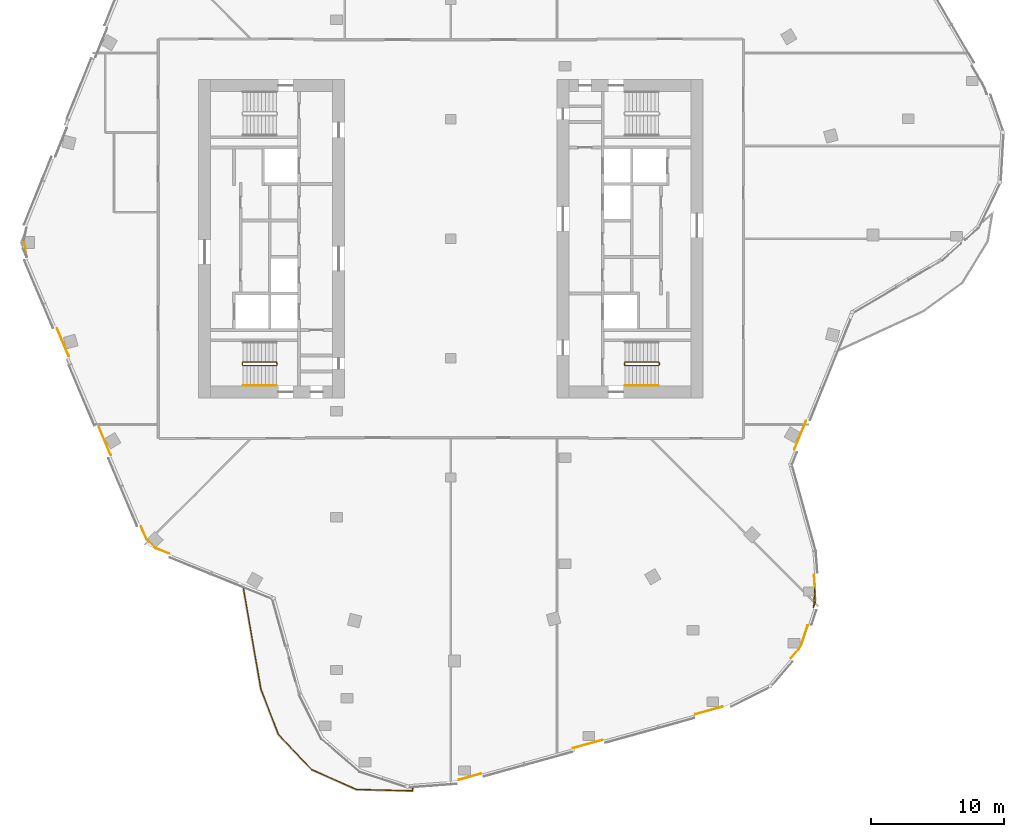
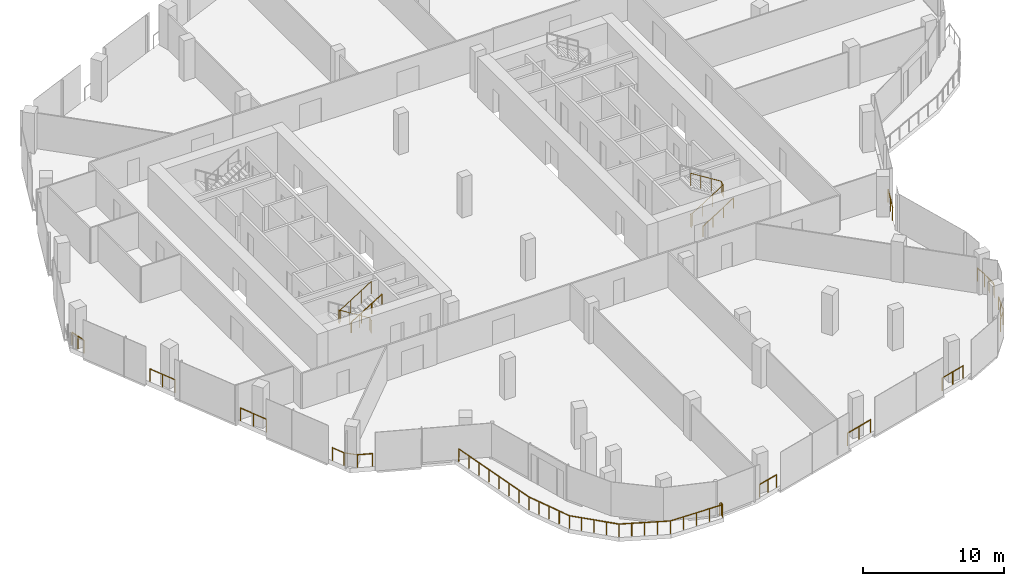
# One storey, part 23 of 26: 18 railings.
"""IFC4 building model written with IfcOpenShell, lengths in metres."""

from ifc_helpers import new_model, si_unit, direction, frame, origin, origin_2d, place, context, subcontext, project, spatial, circle, extrude, material, type_object, element, save


model = new_model("IFC4")

# Units and contexts
model_context = context("Model", 3, precision=1e-05, world=origin(), true_north=direction((0.0, 1.0)))
body_context = subcontext(model_context, "Body", "Model", "MODEL_VIEW")
ifc_project = project(units=[si_unit("LENGTHUNIT", "METRE"), si_unit("AREAUNIT", "SQUARE_METRE"), si_unit("VOLUMEUNIT", "CUBIC_METRE"), si_unit("PLANEANGLEUNIT", "RADIAN"), si_unit("MASSUNIT", "GRAM", prefix="KILO")], contexts=[model_context])

# Site, building, storey
site_placement = place(None, origin())
site = spatial("IfcSite", under=ifc_project, at=site_placement, CompositionType="ELEMENT")
building_placement = place(site_placement, origin())
building = spatial("IfcBuilding", under=site, at=building_placement, Name="Orlundy Tower", CompositionType="ELEMENT")
storey_placement = place(building_placement, frame((0.0, 0.0, 275.39990234375)))
storey = spatial("IfcBuildingStorey", under=building, at=storey_placement, Name="L73", CompositionType="ELEMENT", Elevation=275.39990234375)

# Railings
ifc_material_1 = material(Name="Steel balustrade", Category="steel")
railing_type_1 = type_object("IfcRailingType", Name="Stair Guard 1100", PredefinedType="GUARDRAIL", material=ifc_material_1)
railing_1_placement = place(storey_placement, frame((-13.090087890625, -9.35009765625, 0.0)))
element("IfcRailing", 1, at=railing_1_placement, inside=storey, type_object=railing_type_1, Name="L73 ST-W2 stair guard 1", PredefinedType="GUARDRAIL", context=body_context, shape_type="SweptSolid", body=[
    extrude(circle(Radius=0.02392578125, at=origin_2d()), frame((0.0, 0.0, 1.076171875), z_axis=(0.0, -1.0, 0.0), x_axis=(1.0, 0.0, 0.0)), (0.0, 0.0, 1.0), 0.14990234375),
    extrude(circle(Radius=0.02392578125, at=origin_2d()), frame((0.0, -0.14990234375, 1.076171875), z_axis=(-0.18420542264, 0.739530593833, 0.647427882513), x_axis=(-0.970351222016, -0.241699205484, 0.0)), (0.0, 0.0, 1.0), 0.270263671875),
    extrude(circle(Radius=0.02392578125, at=origin_2d()), frame((-0.0498046875, 0.050048828125, 1.2509765625), z_axis=(-0.848007534815, 0.0, 0.529984170421), x_axis=(0.0, -1.0, 0.0)), (0.0, 0.0, 1.0), 2.9716796875),
    extrude(circle(Radius=0.02392578125, at=origin_2d()), frame((-2.56982421875, 0.050048828125, 2.826171875), z_axis=(-0.707106781187, -0.707106781187, 0.0), x_axis=(0.707106781187, -0.707106781187, 0.0)), (0.0, 0.0, 1.0), 0.07080078125),
    extrude(circle(Radius=0.02392578125, at=origin_2d()), frame((-2.619873046875, 0.0, 2.826171875), z_axis=(0.0, -1.0, 0.0), x_axis=(1.0, 0.0, 0.0)), (0.0, 0.0, 1.0), 0.14990234375),
    extrude(circle(Radius=0.02392578125, at=origin_2d()), frame((-2.619873046875, -0.14990234375, 2.826171875), z_axis=(0.265065253269, -0.265065253269, 0.927081885822), x_axis=(0.707106781187, 0.707106781187, 0.0)), (0.0, 0.0, 1.0), 0.188720703125),
    extrude(circle(Radius=0.02392578125, at=origin_2d()), frame((-2.56982421875, -0.199951171875, 3.0009765625), z_axis=(0.848007534815, 0.0, 0.529984170421), x_axis=(0.0, 1.0, 0.0)), (0.0, 0.0, 1.0), 2.9716796875),
    extrude(circle(Radius=0.02099609375, at=origin_2d()), origin(), (0.0, 0.0, 1.0), 1.052001953125),
    extrude(circle(Radius=0.02099609375, at=origin_2d()), frame((0.0, -0.14990234375, 0.0)), (0.0, 0.0, 1.0), 1.052001953125),
    extrude(circle(Radius=0.02099609375, at=origin_2d()), frame((-0.0498046875, 0.050048828125, 0.175048828125)), (0.0, 0.0, 1.0), 1.052001953125),
    extrude(circle(Radius=0.02099609375, at=origin_2d()), frame((-0.889892578125, 0.050048828125, 0.699951171875)), (0.0, 0.0, 1.0), 1.052001953125),
    extrude(circle(Radius=0.02099609375, at=origin_2d()), frame((-1.729736328125, 0.050048828125, 1.22509765625)), (0.0, 0.0, 1.0), 1.052001953125),
    extrude(circle(Radius=0.02099609375, at=origin_2d()), frame((-2.56982421875, 0.050048828125, 1.75)), (0.0, 0.0, 1.0), 1.052001953125),
    extrude(circle(Radius=0.02099609375, at=origin_2d()), frame((-2.619873046875, 0.0, 1.75)), (0.0, 0.0, 1.0), 1.052001953125),
    extrude(circle(Radius=0.02099609375, at=origin_2d()), frame((-2.619873046875, -0.14990234375, 1.75)), (0.0, 0.0, 1.0), 1.052001953125),
    extrude(circle(Radius=0.02099609375, at=origin_2d()), frame((-2.56982421875, -0.199951171875, 1.925048828125)), (0.0, 0.0, 1.0), 1.052001953125),
    extrude(circle(Radius=0.02099609375, at=origin_2d()), frame((-1.729736328125, -0.199951171875, 2.449951171875)), (0.0, 0.0, 1.0), 1.052001953125),
    extrude(circle(Radius=0.02099609375, at=origin_2d()), frame((-0.889892578125, -0.199951171875, 2.97509765625)), (0.0, 0.0, 1.0), 1.052001953125),
    extrude(circle(Radius=0.02099609375, at=origin_2d()), frame((-0.0498046875, -0.199951171875, 3.5)), (0.0, 0.0, 1.0), 1.052001953125),
])
railing_2_placement = place(storey_placement, frame((13.090087890625, -9.5, 0.0)))
element("IfcRailing", 2, at=railing_2_placement, inside=storey, type_object=railing_type_1, Name="L73 ST-E1 stair guard 1", PredefinedType="GUARDRAIL", context=body_context, shape_type="SweptSolid", body=[
    extrude(circle(Radius=0.02392578125, at=origin_2d()), frame((0.0, 0.0, 1.076171875), z_axis=(0.0, 1.0, 0.0), x_axis=(-1.0, 0.0, 0.0)), (0.0, 0.0, 1.0), 0.14990234375),
    extrude(circle(Radius=0.02392578125, at=origin_2d()), frame((0.0, 0.14990234375, 1.076171875), z_axis=(0.18420542264, -0.739530593833, 0.647427882513), x_axis=(0.970351222016, 0.241699205484, 0.0)), (0.0, 0.0, 1.0), 0.270263671875),
    extrude(circle(Radius=0.02392578125, at=origin_2d()), frame((0.0498046875, -0.050048828125, 1.2509765625), z_axis=(0.848007534815, 0.0, 0.529984170421), x_axis=(0.0, 1.0, 0.0)), (0.0, 0.0, 1.0), 2.9716796875),
    extrude(circle(Radius=0.02392578125, at=origin_2d()), frame((2.56982421875, -0.050048828125, 2.826171875), z_axis=(0.707106781187, 0.707106781187, 0.0), x_axis=(-0.707106781187, 0.707106781187, 0.0)), (0.0, 0.0, 1.0), 0.07080078125),
    extrude(circle(Radius=0.02392578125, at=origin_2d()), frame((2.619873046875, 0.0, 2.826171875), z_axis=(0.0, 1.0, 0.0), x_axis=(-1.0, 0.0, 0.0)), (0.0, 0.0, 1.0), 0.14990234375),
    extrude(circle(Radius=0.02392578125, at=origin_2d()), frame((2.619873046875, 0.14990234375, 2.826171875), z_axis=(-0.265065253269, 0.265065253269, 0.927081885822), x_axis=(-0.707106781187, -0.707106781187, 0.0)), (0.0, 0.0, 1.0), 0.188720703125),
    extrude(circle(Radius=0.02392578125, at=origin_2d()), frame((2.56982421875, 0.199951171875, 3.0009765625), z_axis=(-0.848007534815, 0.0, 0.529984170421), x_axis=(0.0, -1.0, 0.0)), (0.0, 0.0, 1.0), 2.9716796875),
    extrude(circle(Radius=0.02099609375, at=origin_2d()), origin(), (0.0, 0.0, 1.0), 1.052001953125),
    extrude(circle(Radius=0.02099609375, at=origin_2d()), frame((0.0, 0.14990234375, 0.0)), (0.0, 0.0, 1.0), 1.052001953125),
    extrude(circle(Radius=0.02099609375, at=origin_2d()), frame((0.0498046875, -0.050048828125, 0.175048828125)), (0.0, 0.0, 1.0), 1.052001953125),
    extrude(circle(Radius=0.02099609375, at=origin_2d()), frame((0.889892578125, -0.050048828125, 0.699951171875)), (0.0, 0.0, 1.0), 1.052001953125),
    extrude(circle(Radius=0.02099609375, at=origin_2d()), frame((1.729736328125, -0.050048828125, 1.22509765625)), (0.0, 0.0, 1.0), 1.052001953125),
    extrude(circle(Radius=0.02099609375, at=origin_2d()), frame((2.56982421875, -0.050048828125, 1.75)), (0.0, 0.0, 1.0), 1.052001953125),
    extrude(circle(Radius=0.02099609375, at=origin_2d()), frame((2.619873046875, 0.0, 1.75)), (0.0, 0.0, 1.0), 1.052001953125),
    extrude(circle(Radius=0.02099609375, at=origin_2d()), frame((2.619873046875, 0.14990234375, 1.75)), (0.0, 0.0, 1.0), 1.052001953125),
    extrude(circle(Radius=0.02099609375, at=origin_2d()), frame((2.56982421875, 0.199951171875, 1.925048828125)), (0.0, 0.0, 1.0), 1.052001953125),
    extrude(circle(Radius=0.02099609375, at=origin_2d()), frame((1.729736328125, 0.199951171875, 2.449951171875)), (0.0, 0.0, 1.0), 1.052001953125),
    extrude(circle(Radius=0.02099609375, at=origin_2d()), frame((0.889892578125, 0.199951171875, 2.97509765625)), (0.0, 0.0, 1.0), 1.052001953125),
    extrude(circle(Radius=0.02099609375, at=origin_2d()), frame((0.0498046875, 0.199951171875, 3.5)), (0.0, 0.0, 1.0), 1.052001953125),
])
ifc_material_2 = material(Name="Steel handrail", Category="steel")
railing_type_2 = type_object("IfcRailingType", Name="Stair Handrail 900", PredefinedType="HANDRAIL", material=ifc_material_2)
for number, where, name in (
    (3, (-15.659912109375, -11.050048828125, 1.925048828125), "L73 ST-W2 stair handrail 2"),
    (4, (13.139892578125, -11.050048828125, 0.175048828125), "L73 ST-E1 stair handrail 1"),
):
    element("IfcRailing", number, at=place(storey_placement, frame(where)), inside=storey, type_object=railing_type_2, Name=name, PredefinedType="HANDRAIL", context=body_context, shape_type="SweptSolid", body=[
        extrude(circle(Radius=0.02392578125, at=origin_2d()), frame((0.0, 0.0, 0.8759765625), z_axis=(0.848007534815, 0.0, 0.529984170421), x_axis=(0.0, 1.0, 0.0)), (0.0, 0.0, 1.0), 2.9716796875),
        extrude(circle(Radius=0.02099609375, at=origin_2d()), origin(), (0.0, 0.0, 1.0), 0.851806640625),
        extrude(circle(Radius=0.02099609375, at=origin_2d()), frame((0.840087890625, 0.0, 0.52490234375)), (0.0, 0.0, 1.0), 0.851806640625),
        extrude(circle(Radius=0.02099609375, at=origin_2d()), frame((1.679931640625, 0.0, 1.050048828125)), (0.0, 0.0, 1.0), 0.851806640625),
        extrude(circle(Radius=0.02099609375, at=origin_2d()), frame((2.52001953125, 0.0, 1.574951171875)), (0.0, 0.0, 1.0), 0.851806640625),
    ])
ifc_material_3 = material(Name="Stainless steel bronze finish", Category="steel")
railing_type_3 = type_object("IfcRailingType", Name="TG1 terrace guard", PredefinedType="GUARDRAIL", material=ifc_material_3)
railing_3_placement = place(storey_placement, frame((27.44580078125, -26.208984375, 0.0)))
element("IfcRailing", 5, at=railing_3_placement, inside=storey, type_object=railing_type_3, Name="Guard TG-L73-E00", PredefinedType="GUARDRAIL", context=body_context, shape_type="SweptSolid", body=[
    extrude(circle(Radius=0.02490234375, at=origin_2d()), frame((0.0, 0.0, 1.09521484375), z_axis=(0.014295600181, -0.999897812687, 0.0), x_axis=(0.999897812687, 0.014295600181, 0.0)), (0.0, 0.0, 1.0), 1.229736328125),
    extrude(circle(Radius=0.02490234375, at=origin_2d()), frame((0.017578125, -1.2294921875, 1.09521484375), z_axis=(-0.312772982921, -0.949827911337, 0.0), x_axis=(0.949827911337, -0.312772982921, 0.0)), (0.0, 0.0, 1.0), 0.360595703125),
    extrude(circle(Radius=0.02490234375, at=origin_2d()), frame((-0.09521484375, -1.572021484375, 1.09521484375), z_axis=(0.060592369306, 0.998162594361, 0.0), x_axis=(-0.998162594361, 0.060592369306, 0.0)), (0.0, 0.0, 1.0), 1.514892578125),
    extrude(circle(Radius=0.02001953125, at=origin_2d()), origin(), (0.0, 0.0, 1.0), 1.070068359375),
    extrude(circle(Radius=0.02001953125, at=origin_2d()), frame((0.0087890625, -0.61474609375, 0.0)), (0.0, 0.0, 1.0), 1.070068359375),
    extrude(circle(Radius=0.02001953125, at=origin_2d()), frame((0.017578125, -1.2294921875, 0.0)), (0.0, 0.0, 1.0), 1.070068359375),
    extrude(circle(Radius=0.02001953125, at=origin_2d()), frame((-0.09521484375, -1.572021484375, 0.0)), (0.0, 0.0, 1.0), 1.070068359375),
    extrude(circle(Radius=0.02001953125, at=origin_2d()), frame((-0.04931640625, -0.81591796875, 0.0)), (0.0, 0.0, 1.0), 1.070068359375),
    extrude(circle(Radius=0.02001953125, at=origin_2d()), frame((-0.00341796875, -0.059814453125, 0.0)), (0.0, 0.0, 1.0), 1.070068359375),
])
railing_4_placement = place(storey_placement, frame((26.898681640625, -29.15234375, 0.0)))
element("IfcRailing", 6, at=railing_4_placement, inside=storey, type_object=railing_type_3, Name="Guard TG-L73-E01", PredefinedType="GUARDRAIL", context=body_context, shape_type="SweptSolid", body=[
    extrude(circle(Radius=0.02490234375, at=origin_2d()), frame((0.0, 0.0, 1.09521484375), z_axis=(-0.312958119526, -0.949766926895, 0.0), x_axis=(0.949766926895, -0.312958119526, 0.0)), (0.0, 0.0, 1.0), 1.501708984375),
    extrude(circle(Radius=0.02490234375, at=origin_2d()), frame((-0.469970703125, -1.42626953125, 1.09521484375), z_axis=(-0.49250561586, -0.87030926592, 0.0), x_axis=(0.87030926592, -0.49250561586, 0.0)), (0.0, 0.0, 1.0), 0.376708984375),
    extrude(circle(Radius=0.02490234375, at=origin_2d()), frame((-0.655517578125, -1.754150390625, 1.09521484375), z_axis=(-0.652960918908, -0.757391601735, 0.0), x_axis=(0.757391601735, -0.652960918908, 0.0)), (0.0, 0.0, 1.0), 0.906982421875),
    extrude(circle(Radius=0.02001953125, at=origin_2d()), origin(), (0.0, 0.0, 1.0), 1.070068359375),
    extrude(circle(Radius=0.02001953125, at=origin_2d()), frame((-0.23486328125, -0.713134765625, 0.0)), (0.0, 0.0, 1.0), 1.070068359375),
    extrude(circle(Radius=0.02001953125, at=origin_2d()), frame((-0.469970703125, -1.42626953125, 0.0)), (0.0, 0.0, 1.0), 1.070068359375),
    extrude(circle(Radius=0.02001953125, at=origin_2d()), frame((-0.655517578125, -1.754150390625, 0.0)), (0.0, 0.0, 1.0), 1.070068359375),
    extrude(circle(Radius=0.02001953125, at=origin_2d()), frame((-1.247802734375, -2.441162109375, 0.0)), (0.0, 0.0, 1.0), 1.070068359375),
])
railing_5_placement = place(storey_placement, frame((11.445068359375, -37.77490234375, 0.0)))
element("IfcRailing", 7, at=railing_5_placement, inside=storey, type_object=railing_type_3, Name="Guard TG-L73-E03", PredefinedType="GUARDRAIL", context=body_context, shape_type="SweptSolid", body=[
    extrude(circle(Radius=0.02490234375, at=origin_2d()), frame((0.0, 0.0, 1.09521484375), z_axis=(-0.963644294882, -0.267188459597, 0.0), x_axis=(0.267188459597, -0.963644294882, 0.0)), (0.0, 0.0, 1.0), 2.32275390625),
    extrude(circle(Radius=0.02001953125, at=origin_2d()), origin(), (0.0, 0.0, 1.0), 1.070068359375),
    extrude(circle(Radius=0.02001953125, at=origin_2d()), frame((-1.119140625, -0.310302734375, 0.0)), (0.0, 0.0, 1.0), 1.070068359375),
    extrude(circle(Radius=0.02001953125, at=origin_2d()), frame((-2.23828125, -0.62060546875, 0.0)), (0.0, 0.0, 1.0), 1.070068359375),
])
railing_6_placement = place(storey_placement, frame((-25.625, -16.309326171875, 0.0)))
element("IfcRailing", 8, at=railing_6_placement, inside=storey, type_object=railing_type_3, Name="Guard TG-L73-E05", PredefinedType="GUARDRAIL", context=body_context, shape_type="SweptSolid", body=[
    extrude(circle(Radius=0.02490234375, at=origin_2d()), frame((0.0, 0.0, 1.09521484375), z_axis=(-0.390620261162, 0.920551905962, 0.0), x_axis=(-0.920551905962, -0.390620261162, 0.0)), (0.0, 0.0, 1.0), 2.31494140625),
    extrude(circle(Radius=0.02001953125, at=origin_2d()), origin(), (0.0, 0.0, 1.0), 1.070068359375),
    extrude(circle(Radius=0.02001953125, at=origin_2d()), frame((-0.4521484375, 1.0654296875, 0.0)), (0.0, 0.0, 1.0), 1.070068359375),
    extrude(circle(Radius=0.02001953125, at=origin_2d()), frame((-0.904296875, 2.131103515625, 0.0)), (0.0, 0.0, 1.0), 1.070068359375),
])
railing_7_placement = place(storey_placement, frame((26.765625, -13.73046875, 0.0)))
element("IfcRailing", 9, at=railing_7_placement, inside=storey, type_object=railing_type_3, Name="Guard TG-L73-E07", PredefinedType="GUARDRAIL", context=body_context, shape_type="SweptSolid", body=[
    extrude(circle(Radius=0.02490234375, at=origin_2d()), frame((0.0, 0.0, 1.09521484375), z_axis=(-0.374587512218, -0.927191563643, 0.0), x_axis=(0.927191563643, -0.374587512218, 0.0)), (0.0, 0.0, 1.0), 2.302734375),
    extrude(circle(Radius=0.02001953125, at=origin_2d()), origin(), (0.0, 0.0, 1.0), 1.070068359375),
    extrude(circle(Radius=0.02001953125, at=origin_2d()), frame((-0.43115234375, -1.0673828125, 0.0)), (0.0, 0.0, 1.0), 1.070068359375),
    extrude(circle(Radius=0.02001953125, at=origin_2d()), frame((-0.862548828125, -2.135009765625, 0.0)), (0.0, 0.0, 1.0), 1.070068359375),
])
railing_8_placement = place(storey_placement, frame((-28.796875, -8.836181640625, 0.0)))
element("IfcRailing", 10, at=railing_8_placement, inside=storey, type_object=railing_type_3, Name="Guard TG-L73-E010", PredefinedType="GUARDRAIL", context=body_context, shape_type="SweptSolid", body=[
    extrude(circle(Radius=0.02490234375, at=origin_2d()), frame((0.0, 0.0, 1.09521484375), z_axis=(-0.390770239396, 0.920488250877, 0.0), x_axis=(-0.920488250877, -0.390770239396, 0.0)), (0.0, 0.0, 1.0), 2.247314453125),
    extrude(circle(Radius=0.02001953125, at=origin_2d()), origin(), (0.0, 0.0, 1.0), 1.070068359375),
    extrude(circle(Radius=0.02001953125, at=origin_2d()), frame((-0.43896484375, 1.0341796875, 0.0)), (0.0, 0.0, 1.0), 1.070068359375),
    extrude(circle(Radius=0.02001953125, at=origin_2d()), frame((-0.878173828125, 2.068603515625, 0.0)), (0.0, 0.0, 1.0), 1.070068359375),
])
railing_9_placement = place(storey_placement, frame((20.470703125, -35.27197265625, 0.0)))
element("IfcRailing", 11, at=railing_9_placement, inside=storey, type_object=railing_type_3, Name="Guard TG-L73-E013", PredefinedType="GUARDRAIL", context=body_context, shape_type="SweptSolid", body=[
    extrude(circle(Radius=0.02490234375, at=origin_2d()), frame((0.0, 0.0, 1.09521484375), z_axis=(-0.96364654687, -0.267180337421, 0.0), x_axis=(0.267180337421, -0.96364654687, 0.0)), (0.0, 0.0, 1.0), 2.119140625),
    extrude(circle(Radius=0.02001953125, at=origin_2d()), origin(), (0.0, 0.0, 1.0), 1.070068359375),
    extrude(circle(Radius=0.02001953125, at=origin_2d()), frame((-1.02099609375, -0.283203125, 0.0)), (0.0, 0.0, 1.0), 1.070068359375),
    extrude(circle(Radius=0.02001953125, at=origin_2d()), frame((-2.0419921875, -0.566162109375, 0.0)), (0.0, 0.0, 1.0), 1.070068359375),
])
railing_10_placement = place(storey_placement, frame((2.255615234375, -40.323486328125, 0.0)))
element("IfcRailing", 12, at=railing_10_placement, inside=storey, type_object=railing_type_3, Name="Guard TG-L73-E016", PredefinedType="GUARDRAIL", context=body_context, shape_type="SweptSolid", body=[
    extrude(circle(Radius=0.02490234375, at=origin_2d()), frame((0.0, 0.0, 1.09521484375), z_axis=(-0.963622937562, -0.267265475144, 0.0), x_axis=(0.267265475144, -0.963622937562, 0.0)), (0.0, 0.0, 1.0), 1.697265625),
    extrude(circle(Radius=0.02001953125, at=origin_2d()), origin(), (0.0, 0.0, 1.0), 1.070068359375),
    extrude(circle(Radius=0.02001953125, at=origin_2d()), frame((-0.81787109375, -0.226806640625, 0.0)), (0.0, 0.0, 1.0), 1.070068359375),
    extrude(circle(Radius=0.02001953125, at=origin_2d()), frame((-1.635498046875, -0.45361328125, 0.0)), (0.0, 0.0, 1.0), 1.070068359375),
])
railing_11_placement = place(storey_placement, frame((-31.9638671875, -1.37548828125, 0.0)))
element("IfcRailing", 13, at=railing_11_placement, inside=storey, type_object=railing_type_3, Name="Guard TG-L73-E017", PredefinedType="GUARDRAIL", context=body_context, shape_type="SweptSolid", body=[
    extrude(circle(Radius=0.02490234375, at=origin_2d()), frame((0.0, 0.0, 1.09521484375), z_axis=(-0.168777671009, 0.985654147137, 0.0), x_axis=(-0.985654147137, -0.168777671009, 0.0)), (0.0, 0.0, 1.0), 1.310546875),
    extrude(circle(Radius=0.02001953125, at=origin_2d()), origin(), (0.0, 0.0, 1.0), 1.070068359375),
    extrude(circle(Radius=0.02001953125, at=origin_2d()), frame((-0.110595703125, 0.64599609375, 0.0)), (0.0, 0.0, 1.0), 1.070068359375),
    extrude(circle(Radius=0.02001953125, at=origin_2d()), frame((-0.22119140625, 1.291748046875, 0.0)), (0.0, 0.0, 1.0), 1.070068359375),
])
railing_12_placement = place(storey_placement, frame((-21.23046875, -23.735595703125, 0.0)))
element("IfcRailing", 14, at=railing_12_placement, inside=storey, type_object=railing_type_3, Name="Guard TG-L73-E020", PredefinedType="GUARDRAIL", context=body_context, shape_type="SweptSolid", body=[
    extrude(circle(Radius=0.02490234375, at=origin_2d()), frame((0.0, 0.0, 1.09521484375), z_axis=(-0.927244806604, 0.37445569648, 0.0), x_axis=(-0.37445569648, -0.927244806604, 0.0)), (0.0, 0.0, 1.0), 1.097900390625),
    extrude(circle(Radius=0.02001953125, at=origin_2d()), origin(), (0.0, 0.0, 1.0), 1.070068359375),
    extrude(circle(Radius=0.02001953125, at=origin_2d()), frame((-1.01806640625, 0.4111328125, 0.0)), (0.0, 0.0, 1.0), 1.070068359375),
])
railing_13_placement = place(storey_placement, frame((-22.93310546875, -22.651123046875, 0.0)))
element("IfcRailing", 15, at=railing_13_placement, inside=storey, type_object=railing_type_3, Name="Guard TG-L73-E023", PredefinedType="GUARDRAIL", context=body_context, shape_type="SweptSolid", body=[
    extrude(circle(Radius=0.02490234375, at=origin_2d()), frame((0.0, 0.0, 1.09521484375), z_axis=(-0.390603616047, 0.92055896885, 0.0), x_axis=(-0.92055896885, -0.390603616047, 0.0)), (0.0, 0.0, 1.0), 1.04931640625),
    extrude(circle(Radius=0.02001953125, at=origin_2d()), origin(), (0.0, 0.0, 1.0), 1.070068359375),
    extrude(circle(Radius=0.02001953125, at=origin_2d()), frame((-0.409912109375, 0.966064453125, 0.0)), (0.0, 0.0, 1.0), 1.070068359375),
])
railing_14_placement = place(storey_placement, frame((-22.24853515625, -23.324462890625, 0.0)))
element("IfcRailing", 16, at=railing_14_placement, inside=storey, type_object=railing_type_3, Name="Guard TG-L73-E025", PredefinedType="GUARDRAIL", context=body_context, shape_type="SweptSolid", body=[
    extrude(circle(Radius=0.02490234375, at=origin_2d()), frame((0.0, 0.0, 1.09521484375), z_axis=(-0.712930459915, 0.701234739103, 0.0), x_axis=(-0.701234739103, -0.712930459915, 0.0)), (0.0, 0.0, 1.0), 0.960205078125),
    extrude(circle(Radius=0.02001953125, at=origin_2d()), origin(), (0.0, 0.0, 1.0), 1.070068359375),
    extrude(circle(Radius=0.02001953125, at=origin_2d()), frame((-0.6845703125, 0.67333984375, 0.0)), (0.0, 0.0, 1.0), 1.070068359375),
])
railing_15_placement = place(storey_placement, frame((27.381591796875, -25.34130859375, 0.0)))
element("IfcRailing", 17, at=railing_15_placement, inside=storey, type_object=railing_type_3, Name="Guard TG-L73-E028", PredefinedType="GUARDRAIL", context=body_context, shape_type="SweptSolid", body=[
    extrude(circle(Radius=0.02490234375, at=origin_2d()), frame((0.0, 0.0, 1.09521484375), z_axis=(0.073799332659, -0.997273111289, 0.0), x_axis=(0.997273111289, 0.073799332659, 0.0)), (0.0, 0.0, 1.0), 0.8701171875),
    extrude(circle(Radius=0.02001953125, at=origin_2d()), origin(), (0.0, 0.0, 1.0), 1.070068359375),
    extrude(circle(Radius=0.02001953125, at=origin_2d()), frame((0.064208984375, -0.86767578125, 0.0)), (0.0, 0.0, 1.0), 1.070068359375),
])
railing_16_placement = place(storey_placement, frame((-2.9755859375, -41.343994140625, 0.0)))
element("IfcRailing", 18, at=railing_16_placement, inside=storey, type_object=railing_type_3, Name="Guard TG-L73-10", PredefinedType="GUARDRAIL", context=body_context, shape_type="SweptSolid", body=[
    extrude(circle(Radius=0.02490234375, at=origin_2d()), frame((0.0, 0.0, 1.09521484375), z_axis=(0.949682410233, -0.313214494707, 0.0), x_axis=(0.313214494707, 0.949682410233, 0.0)), (0.0, 0.0, 1.0), 0.12158203125),
    extrude(circle(Radius=0.02490234375, at=origin_2d()), frame((0.115478515625, -0.0380859375, 1.09521484375), z_axis=(-0.175282035954, -0.984518261827, 0.0), x_axis=(0.984518261827, -0.175282035954, 0.0)), (0.0, 0.0, 1.0), 0.232666015625),
    extrude(circle(Radius=0.02490234375, at=origin_2d()), frame((0.07470703125, -0.26708984375, 1.09521484375), z_axis=(-0.999701000235, 0.024452200898, 0.0), x_axis=(-0.024452200898, -0.999701000235, 0.0)), (0.0, 0.0, 1.0), 4.21337890625),
    extrude(circle(Radius=0.02490234375, at=origin_2d()), frame((-4.137451171875, -0.1640625, 1.09521484375), z_axis=(-0.914044813732, 0.405613212913, 0.0), x_axis=(-0.405613212913, -0.914044813732, 0.0)), (0.0, 0.0, 1.0), 3.666259765625),
    extrude(circle(Radius=0.02490234375, at=origin_2d()), frame((-7.488525390625, 1.322998046875, 1.09521484375), z_axis=(-0.689419131948, 0.724362658138, 0.0), x_axis=(-0.724362658138, -0.689419131948, 0.0)), (0.0, 0.0, 1.0), 3.66796875),
    extrude(circle(Radius=0.02490234375, at=origin_2d()), frame((-10.017333984375, 3.97998046875, 1.09521484375), z_axis=(-0.359557445685, 0.933122951841, 0.0), x_axis=(-0.933122951841, -0.359557445685, 0.0)), (0.0, 0.0, 1.0), 3.6767578125),
    extrude(circle(Radius=0.02490234375, at=origin_2d()), frame((-11.33935546875, 7.410888671875, 1.09521484375), z_axis=(-0.170796479125, 0.985306329381, 0.0), x_axis=(-0.985306329381, -0.170796479125, 0.0)), (0.0, 0.0, 1.0), 7.774658203125),
    extrude(circle(Radius=0.02001953125, at=origin_2d()), origin(), (0.0, 0.0, 1.0), 1.070068359375),
    extrude(circle(Radius=0.02001953125, at=origin_2d()), frame((0.115478515625, -0.0380859375, 0.0)), (0.0, 0.0, 1.0), 1.070068359375),
    extrude(circle(Radius=0.02001953125, at=origin_2d()), frame((0.07470703125, -0.26708984375, 0.0)), (0.0, 0.0, 1.0), 1.070068359375),
    extrude(circle(Radius=0.02001953125, at=origin_2d()), frame((-0.978271484375, -0.2412109375, 0.0)), (0.0, 0.0, 1.0), 1.070068359375),
    extrude(circle(Radius=0.02001953125, at=origin_2d()), frame((-2.03125, -0.215576171875, 0.0)), (0.0, 0.0, 1.0), 1.070068359375),
    extrude(circle(Radius=0.02001953125, at=origin_2d()), frame((-3.08447265625, -0.18994140625, 0.0)), (0.0, 0.0, 1.0), 1.070068359375),
    extrude(circle(Radius=0.02001953125, at=origin_2d()), frame((-4.137451171875, -0.1640625, 0.0)), (0.0, 0.0, 1.0), 1.070068359375),
    extrude(circle(Radius=0.02001953125, at=origin_2d()), frame((-4.97509765625, 0.207763671875, 0.0)), (0.0, 0.0, 1.0), 1.070068359375),
    extrude(circle(Radius=0.02001953125, at=origin_2d()), frame((-5.81298828125, 0.57958984375, 0.0)), (0.0, 0.0, 1.0), 1.070068359375),
    extrude(circle(Radius=0.02001953125, at=origin_2d()), frame((-6.65087890625, 0.951171875, 0.0)), (0.0, 0.0, 1.0), 1.070068359375),
    extrude(circle(Radius=0.02001953125, at=origin_2d()), frame((-7.488525390625, 1.322998046875, 0.0)), (0.0, 0.0, 1.0), 1.070068359375),
    extrude(circle(Radius=0.02001953125, at=origin_2d()), frame((-8.12060546875, 1.9873046875, 0.0)), (0.0, 0.0, 1.0), 1.070068359375),
    extrude(circle(Radius=0.02001953125, at=origin_2d()), frame((-8.7529296875, 2.6513671875, 0.0)), (0.0, 0.0, 1.0), 1.070068359375),
    extrude(circle(Radius=0.02001953125, at=origin_2d()), frame((-9.38525390625, 3.315673828125, 0.0)), (0.0, 0.0, 1.0), 1.070068359375),
    extrude(circle(Radius=0.02001953125, at=origin_2d()), frame((-10.017333984375, 3.97998046875, 0.0)), (0.0, 0.0, 1.0), 1.070068359375),
    extrude(circle(Radius=0.02001953125, at=origin_2d()), frame((-10.347900390625, 4.837646484375, 0.0)), (0.0, 0.0, 1.0), 1.070068359375),
    extrude(circle(Radius=0.02001953125, at=origin_2d()), frame((-10.67822265625, 5.6953125, 0.0)), (0.0, 0.0, 1.0), 1.070068359375),
    extrude(circle(Radius=0.02001953125, at=origin_2d()), frame((-11.0087890625, 6.55322265625, 0.0)), (0.0, 0.0, 1.0), 1.070068359375),
    extrude(circle(Radius=0.02001953125, at=origin_2d()), frame((-11.33935546875, 7.410888671875, 0.0)), (0.0, 0.0, 1.0), 1.070068359375),
    extrude(circle(Radius=0.02001953125, at=origin_2d()), frame((-11.529052734375, 8.505126953125, 0.0)), (0.0, 0.0, 1.0), 1.070068359375),
    extrude(circle(Radius=0.02001953125, at=origin_2d()), frame((-11.71875, 9.599609375, 0.0)), (0.0, 0.0, 1.0), 1.070068359375),
    extrude(circle(Radius=0.02001953125, at=origin_2d()), frame((-11.908447265625, 10.69384765625, 0.0)), (0.0, 0.0, 1.0), 1.070068359375),
    extrude(circle(Radius=0.02001953125, at=origin_2d()), frame((-12.09814453125, 11.788330078125, 0.0)), (0.0, 0.0, 1.0), 1.070068359375),
    extrude(circle(Radius=0.02001953125, at=origin_2d()), frame((-12.287841796875, 12.882568359375, 0.0)), (0.0, 0.0, 1.0), 1.070068359375),
    extrude(circle(Radius=0.02001953125, at=origin_2d()), frame((-12.4775390625, 13.97705078125, 0.0)), (0.0, 0.0, 1.0), 1.070068359375),
    extrude(circle(Radius=0.02001953125, at=origin_2d()), frame((-12.667236328125, 15.0712890625, 0.0)), (0.0, 0.0, 1.0), 1.070068359375),
])

save(model, "model.ifc")
